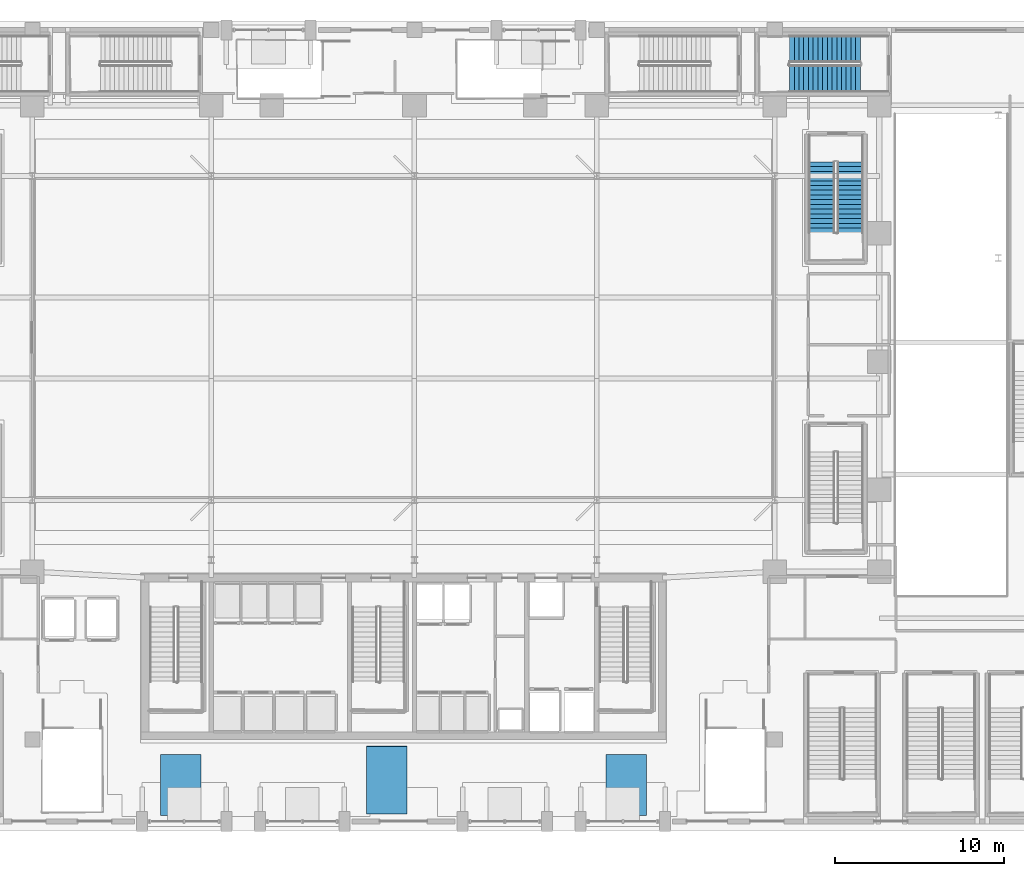
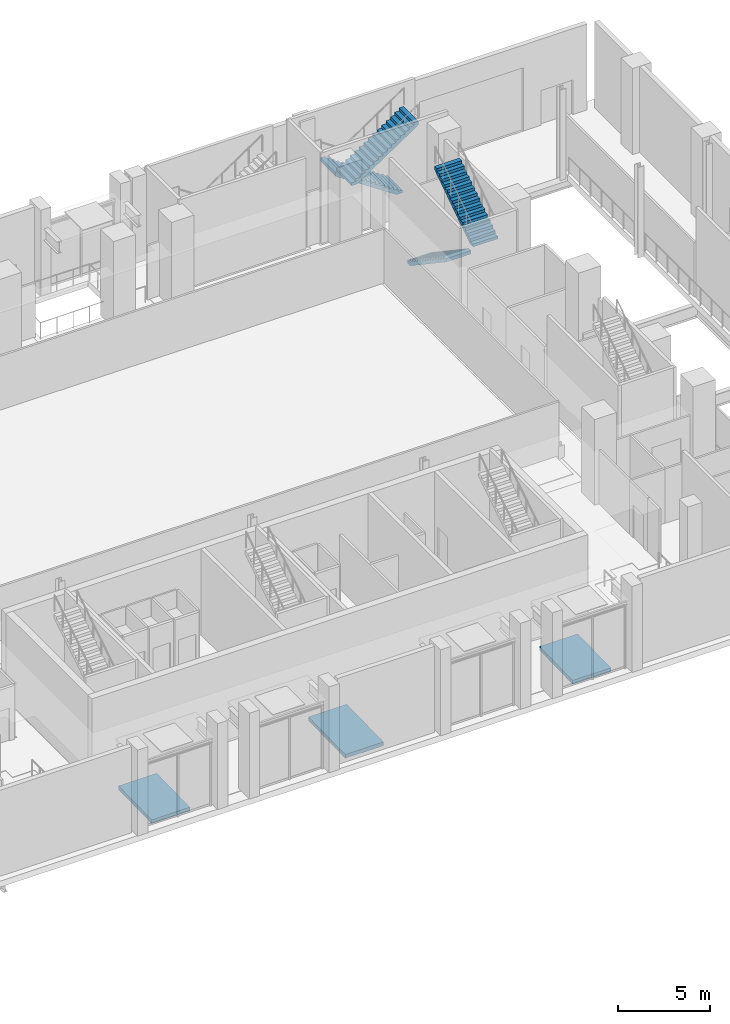
# One storey, part 25 of 36: 4 stair flights, 3 ramp flights, 5 elements without a shape of their own.
"""IFC4 building model written with IfcOpenShell, lengths in metres."""

from ifc_helpers import new_model, si_unit, direction, frame, origin, place, context, subcontext, project, spatial, polyline, outline, extrude, material, layer, layer_set, type_object, element, aggregate, save


model = new_model("IFC4")

# Units and contexts
model_context = context("Model", 3, precision=1e-05, world=origin(), true_north=direction((0.0, 1.0)))
body_context = subcontext(model_context, "Body", "Model", "MODEL_VIEW")
ifc_project = project(units=[si_unit("LENGTHUNIT", "METRE"), si_unit("AREAUNIT", "SQUARE_METRE"), si_unit("VOLUMEUNIT", "CUBIC_METRE"), si_unit("PLANEANGLEUNIT", "RADIAN"), si_unit("MASSUNIT", "GRAM", prefix="KILO")], contexts=[model_context])

# Site, building, storey
site_placement = place(None, origin())
site = spatial("IfcSite", under=ifc_project, at=site_placement, CompositionType="ELEMENT")
building_placement = place(site_placement, origin())
building = spatial("IfcBuilding", under=site, at=building_placement, Name="Ndaravel Arena Tower", CompositionType="ELEMENT")
storey_placement = place(building_placement, origin())
storey = spatial("IfcBuildingStorey", under=building, at=storey_placement, Name="L00", CompositionType="ELEMENT", Elevation=0.0)

# Stair, stair flights
ifc_material_1 = material(Name="Concrete C40/50", Category="concrete")
stair_type_1 = type_object("IfcStairType", Name="STAIR-POD-QT", PredefinedType="QUARTER_TURN_STAIR", material=ifc_material_1)
stair_1_placement = place(storey_placement, origin())
stair_1 = element("IfcStair", 1, at=stair_1_placement, inside=storey, type_object=stair_type_1, Name="L00 ST-A11", PredefinedType="QUARTER_TURN_STAIR")
ifc_material_2 = material(Name="Concrete C40/50", Category="concrete")
stair_flight_type_1 = type_object("IfcStairFlightType", Name="SFLIGHT-ARENA-1980", PredefinedType="STRAIGHT", material=ifc_material_2)
stair_flight_1_placement = place(storey_placement, frame((69.080078125, 46.330078125, 0.0), z_axis=(0.0, 0.0, 1.0), x_axis=(-1.0, 0.0, 0.0)))
stair_flight_1 = element("IfcStairFlight", 2, at=stair_flight_1_placement, type_object=stair_flight_type_1, Name="ST-A11 flight 1", NumberOfRisers=16, NumberOfTreads=15, PredefinedType="STRAIGHT", RiserHeight=0.1875, TreadLength=0.28, context=body_context, shape_type="SweptSolid", body=[
    extrude(outline(polyline([(0.0, 0.0), (0.0, 0.1875), (0.280029296875, 0.1875), (0.280029296875, 0.375), (0.56005859375, 0.375), (0.56005859375, 0.5625), (0.840087890625, 0.5625), (0.840087890625, 0.75), (1.1201171875, 0.75), (1.1201171875, 0.9375), (1.39990234375, 0.9375), (1.39990234375, 1.125), (1.679931640625, 1.125), (1.679931640625, 1.3125), (1.9599609375, 1.3125), (1.9599609375, 1.5), (2.239990234375, 1.5), (2.239990234375, 1.6875), (2.52001953125, 1.6875), (2.52001953125, 1.875), (2.800048828125, 1.875), (2.800048828125, 2.0625), (3.080078125, 2.0625), (3.080078125, 2.25), (3.360107421875, 2.25), (3.360107421875, 2.4375), (3.639892578125, 2.4375), (3.639892578125, 2.625), (3.919921875, 2.625), (3.919921875, 2.8125), (4.199951171875, 2.8125), (4.199951171875, 3.0), (4.199951171875, 2.57177734375), (0.359375, 0.0), (0.0, 0.0)])), frame((0.0, 0.81005859375, 0.0), z_axis=(0.0, -1.0, 0.0), x_axis=(1.0, 0.0, 0.0)), (0.0, 0.0, 1.0), 1.6201171875),
])
stair_flight_2_placement = place(storey_placement, frame((64.8798828125, 44.570068359375, 3.0), z_axis=(0.0, 0.0, 1.0), x_axis=(1.0, 0.0, 0.0)))
stair_flight_2 = element("IfcStairFlight", 3, at=stair_flight_2_placement, type_object=stair_flight_type_1, Name="ST-A11 flight 2", NumberOfRisers=16, NumberOfTreads=15, PredefinedType="STRAIGHT", RiserHeight=0.1875, TreadLength=0.28, context=body_context, shape_type="SweptSolid", body=[
    extrude(outline(polyline([(0.0, 0.0), (0.0, 0.1875), (0.280029296875, 0.1875), (0.280029296875, 0.375), (0.56005859375, 0.375), (0.56005859375, 0.5625), (0.840087890625, 0.5625), (0.840087890625, 0.75), (1.1201171875, 0.75), (1.1201171875, 0.9375), (1.39990234375, 0.9375), (1.39990234375, 1.125), (1.679931640625, 1.125), (1.679931640625, 1.3125), (1.9599609375, 1.3125), (1.9599609375, 1.5), (2.239990234375, 1.5), (2.239990234375, 1.6875), (2.52001953125, 1.6875), (2.52001953125, 1.875), (2.800048828125, 1.875), (2.800048828125, 2.0625), (3.080078125, 2.0625), (3.080078125, 2.25), (3.360107421875, 2.25), (3.360107421875, 2.4375), (3.639892578125, 2.4375), (3.639892578125, 2.625), (3.919921875, 2.625), (3.919921875, 2.8125), (4.199951171875, 2.8125), (4.199951171875, 3.0), (4.199951171875, 2.57177734375), (0.359375, 0.0), (0.0, 0.0)])), frame((0.0, 0.81005859375, 0.0), z_axis=(0.0, -1.0, 0.0), x_axis=(1.0, 0.0, 0.0)), (0.0, 0.0, 1.0), 1.6201171875),
])
aggregate(stair_1, [stair_flight_1, stair_flight_2])

ifc_material_3 = material(Name="Concrete C40/50", Category="concrete")
stair_type_2 = type_object("IfcStairType", Name="STAIR-VOM-STR", PredefinedType="STRAIGHT_RUN_STAIR", material=ifc_material_3)
stair_2_placement = place(storey_placement, origin())
stair_2 = element("IfcStair", 4, at=stair_2_placement, inside=storey, type_object=stair_type_2, Name="L00 ST-VOM-4", PredefinedType="STRAIGHT_RUN_STAIR")
ifc_material_4 = material(Name="Concrete C40/50", Category="concrete")
stair_flight_type_2 = type_object("IfcStairFlightType", Name="SFLIGHT-VOM-1350", PredefinedType="STRAIGHT", material=ifc_material_4)
stair_flight_3_placement = place(storey_placement, frame((66.780029296875, 39.639892578125, 0.0), z_axis=(0.0, 0.0, 1.0), x_axis=(0.0, -1.0, 0.0)))
stair_flight_3 = element("IfcStairFlight", 5, at=stair_flight_3_placement, type_object=stair_flight_type_2, Name="ST-VOM-4 flight 1", NumberOfRisers=16, NumberOfTreads=15, PredefinedType="STRAIGHT", RiserHeight=0.1875, TreadLength=0.28, context=body_context, shape_type="SweptSolid", body=[
    extrude(outline(polyline([(0.0, 0.0), (0.0, 0.1875), (0.280029296875, 0.1875), (0.280029296875, 0.375), (0.56005859375, 0.375), (0.56005859375, 0.5625), (0.840087890625, 0.5625), (0.840087890625, 0.75), (1.1201171875, 0.75), (1.1201171875, 0.9375), (1.39990234375, 0.9375), (1.39990234375, 1.125), (1.679931640625, 1.125), (1.679931640625, 1.3125), (1.9599609375, 1.3125), (1.9599609375, 1.5), (2.239990234375, 1.5), (2.239990234375, 1.6875), (2.52001953125, 1.6875), (2.52001953125, 1.875), (2.800048828125, 1.875), (2.800048828125, 2.0625), (3.080078125, 2.0625), (3.080078125, 2.25), (3.360107421875, 2.25), (3.360107421875, 2.4375), (3.639892578125, 2.4375), (3.639892578125, 2.625), (3.919921875, 2.625), (3.919921875, 2.8125), (4.199951171875, 2.8125), (4.199951171875, 3.0), (4.199951171875, 2.595947265625), (0.323486328125, 0.0), (0.0, 0.0)])), frame((0.0, 0.780029296875, 0.0), z_axis=(0.0, -1.0, 0.0), x_axis=(1.0, 0.0, 0.0)), (0.0, 0.0, 1.0), 1.56005859375),
])
stair_flight_4_placement = place(storey_placement, frame((68.47998046875, 35.43994140625, 3.0), z_axis=(0.0, 0.0, 1.0), x_axis=(0.0, 1.0, 0.0)))
stair_flight_4 = element("IfcStairFlight", 6, at=stair_flight_4_placement, type_object=stair_flight_type_2, Name="ST-VOM-4 flight 2", NumberOfRisers=16, NumberOfTreads=15, PredefinedType="STRAIGHT", RiserHeight=0.1875, TreadLength=0.28, context=body_context, shape_type="SweptSolid", body=[
    extrude(outline(polyline([(0.0, 0.0), (0.0, 0.1875), (0.280029296875, 0.1875), (0.280029296875, 0.375), (0.56005859375, 0.375), (0.56005859375, 0.5625), (0.840087890625, 0.5625), (0.840087890625, 0.75), (1.1201171875, 0.75), (1.1201171875, 0.9375), (1.39990234375, 0.9375), (1.39990234375, 1.125), (1.679931640625, 1.125), (1.679931640625, 1.3125), (1.9599609375, 1.3125), (1.9599609375, 1.5), (2.239990234375, 1.5), (2.239990234375, 1.6875), (2.52001953125, 1.6875), (2.52001953125, 1.875), (2.800048828125, 1.875), (2.800048828125, 2.0625), (3.080078125, 2.0625), (3.080078125, 2.25), (3.360107421875, 2.25), (3.360107421875, 2.4375), (3.639892578125, 2.4375), (3.639892578125, 2.625), (3.919921875, 2.625), (3.919921875, 2.8125), (4.199951171875, 2.8125), (4.199951171875, 3.0), (4.199951171875, 2.595947265625), (0.323486328125, 0.0), (0.0, 0.0)])), frame((0.0, 0.780029296875, 0.0), z_axis=(0.0, -1.0, 0.0), x_axis=(1.0, 0.0, 0.0)), (0.0, 0.0, 1.0), 1.56005859375),
])
aggregate(stair_2, [stair_flight_3, stair_flight_4])

# Ramp, ramp flight
ifc_material_5 = material(Name="Concrete C40/50", Category="concrete")
ramp_type = type_object("IfcRampType", Name="RAMP-PED-1", PredefinedType="STRAIGHT_RUN_RAMP", material=ifc_material_5)
ramp_1_placement = place(storey_placement, origin())
ramp_1 = element("IfcRamp", 7, at=ramp_1_placement, inside=storey, type_object=ramp_type, Name="South Entrance Step-Free Approach Ramp", PredefinedType="STRAIGHT_RUN_RAMP")
ifc_material_6 = material(Name="Concrete C40/50", Category="concrete")
ifc_layer = layer(ifc_material_6, 0.25)
ifc_layer_set = layer_set([ifc_layer], Name="Concrete C40/50")
ramp_flight_type = type_object("IfcRampFlightType", Name="RFLIGHT-PED-250", PredefinedType="STRAIGHT", material=ifc_layer_set)
ramp_flight_1_placement = place(storey_placement, frame((39.800048828125, 1.0, 0.0), z_axis=(0.0, -0.020015520725, 0.999799669399), x_axis=(1.0, 0.0, 0.0)))
ramp_flight_1 = element("IfcRampFlight", 8, at=ramp_flight_1_placement, type_object=ramp_flight_type, Name="South Entrance Step-Free Approach Ramp Flight", PredefinedType="STRAIGHT", context=body_context, shape_type="SweptSolid", body=[
    extrude(outline(polyline([(0.0, 0.0), (2.39990234375, 0.0), (2.39990234375, 4.000801482966071), (0.0, 4.000801482966071), (0.0, 0.0)])), origin(), (0.0, 0.0, -1.0), 0.25),
])
aggregate(ramp_1, [ramp_flight_1])

ramp_2_placement = place(storey_placement, origin())
ramp_2 = element("IfcRamp", 9, at=ramp_2_placement, inside=storey, type_object=ramp_type, Name="South-West Plaza Step-Free Approach Ramp", PredefinedType="STRAIGHT_RUN_RAMP")
ramp_flight_2_placement = place(storey_placement, frame((27.60009765625, 0.89990234375, 0.0), z_axis=(0.0, -0.022237819652, 0.999752709112), x_axis=(1.0, 0.0, 0.0)))
ramp_flight_2 = element("IfcRampFlight", 10, at=ramp_flight_2_placement, type_object=ramp_flight_type, Name="South-West Plaza Step-Free Approach Ramp Flight", PredefinedType="STRAIGHT", context=body_context, shape_type="SweptSolid", body=[
    extrude(outline(polyline([(0.0, 0.0), (2.39990234375, 0.0), (2.39990234375, 3.6009881478061345), (0.0, 3.6009881478061345), (0.0, 0.0)])), origin(), (0.0, 0.0, -1.0), 0.25),
])
aggregate(ramp_2, [ramp_flight_2])

ramp_3_placement = place(storey_placement, origin())
ramp_3 = element("IfcRamp", 11, at=ramp_3_placement, inside=storey, type_object=ramp_type, Name="South-East Plaza Step-Free Approach Ramp", PredefinedType="STRAIGHT_RUN_RAMP")
ramp_flight_3_placement = place(storey_placement, frame((54.0, 0.89990234375, 0.0), z_axis=(0.0, -0.022237819652, 0.999752709112), x_axis=(1.0, 0.0, 0.0)))
ramp_flight_3 = element("IfcRampFlight", 12, at=ramp_flight_3_placement, type_object=ramp_flight_type, Name="South-East Plaza Step-Free Approach Ramp Flight", PredefinedType="STRAIGHT", context=body_context, shape_type="SweptSolid", body=[
    extrude(outline(polyline([(0.0, 0.0), (2.39990234375, 0.0), (2.39990234375, 3.6009881478061345), (0.0, 3.6009881478061345), (0.0, 0.0)])), origin(), (0.0, 0.0, -1.0), 0.25),
])
aggregate(ramp_3, [ramp_flight_3])

save(model, "model.ifc")
